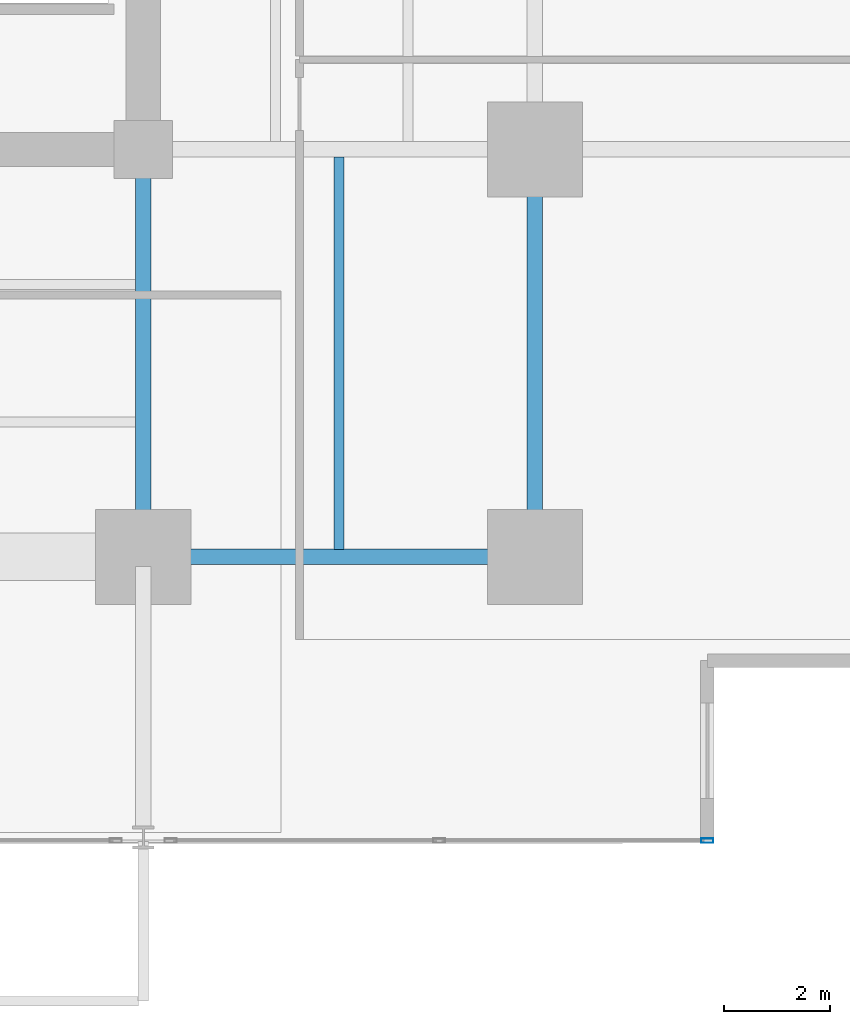
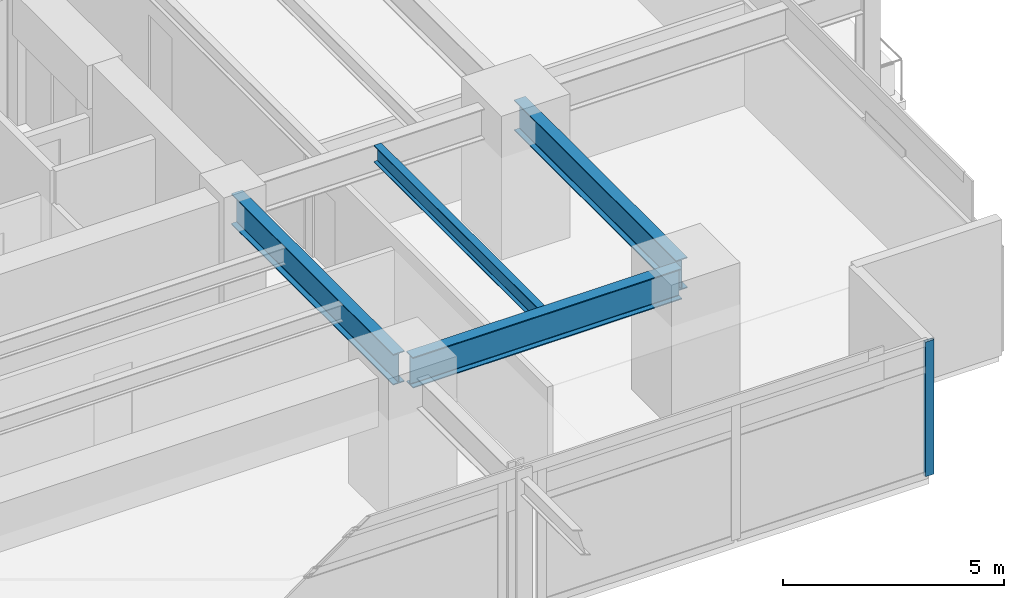
# One storey, part 10 of 21: 4 beams, 1 member, 1 element without a shape of its own.
"""IFC4 building model written with IfcOpenShell, lengths in metres."""

from ifc_helpers import new_model, si_unit, direction, frame, origin, origin_2d, place, context, subcontext, project, spatial, hollow_rectangle, i_section, extrude, material, material_profile, profile_set, type_object, element, aggregate, save


model = new_model("IFC4")

# Units and contexts
model_context = context("Model", 3, precision=1e-05, world=origin(), true_north=direction((0.0, 1.0)))
body_context = subcontext(model_context, "Body", "Model", "MODEL_VIEW")
ifc_project = project(units=[si_unit("LENGTHUNIT", "METRE"), si_unit("AREAUNIT", "SQUARE_METRE"), si_unit("VOLUMEUNIT", "CUBIC_METRE"), si_unit("PLANEANGLEUNIT", "RADIAN"), si_unit("MASSUNIT", "GRAM", prefix="KILO")], contexts=[model_context])

# Site, building, storey
site_placement = place(None, origin())
site = spatial("IfcSite", under=ifc_project, at=site_placement, CompositionType="ELEMENT")
building_placement = place(site_placement, origin())
building = spatial("IfcBuilding", under=site, at=building_placement, Name="Kovane Verandah Tower", CompositionType="ELEMENT")
storey_placement = place(building_placement, frame((0.0, 0.0, 47.60009765625)))
storey = spatial("IfcBuildingStorey", under=building, at=storey_placement, Name="L10", CompositionType="ELEMENT", Elevation=47.60009765625)

# Beams
ifc_material_1 = material(Name="Steel S355", Category="steel")
ifc_material_profile_1 = material_profile(ifc_material_1, i_section(OverallWidth=0.293701171875, OverallDepth=0.850830078125, WebThickness=0.01611328125, FlangeThickness=0.02685546875, FilletRadius=0.017822265625, at=origin_2d()), Name="UB838x292x226")
ifc_profile_set_1 = profile_set([ifc_material_profile_1], Name="Steel S355")
beam_type_1 = type_object("IfcBeamType", Name="BM-UB838x226", PredefinedType="BEAM", material=ifc_profile_set_1)
beam_1_placement = place(storey_placement, frame((51.179931640625, 10.800048828125, 3.33447265625), z_axis=(1.0, 0.0, 0.0), x_axis=(0.0, 1.0, 0.0)))
element("IfcBeam", 1, at=beam_1_placement, inside=storey, type_object=beam_type_1, Name="L10 Primary Tower Girder G-RS3", PredefinedType="BEAM", context=body_context, shape_type="SweptSolid", body=[
    extrude(i_section(OverallWidth=0.293701171875, OverallDepth=0.850830078125, WebThickness=0.01611328125, FlangeThickness=0.02685546875, FilletRadius=0.017822265625, at=origin_2d()), origin(), (0.0, 0.0, 1.0), 7.0400390625),
])
for number, where, z_axis, x_axis, name in (
    (2, (58.39990234375, 10.97998046875, 3.33447265625), (0.0, 1.0, 0.0), (-1.0, 0.0, 0.0), "L10 Primary Tower Girder G-RE1"),
    (3, (51.0, 18.320068359375, 3.33447265625), (0.0, -1.0, 0.0), (1.0, 0.0, 0.0), "L10 Primary Tower Girder G-S2"),
):
    element("IfcBeam", number, at=place(storey_placement, frame(where, z_axis=z_axis, x_axis=x_axis)), inside=storey, type_object=beam_type_1, Name=name, PredefinedType="BEAM", context=body_context, shape_type="SweptSolid", body=[
        extrude(i_section(OverallWidth=0.293701171875, OverallDepth=0.850830078125, WebThickness=0.01611328125, FlangeThickness=0.02685546875, FilletRadius=0.017822265625, at=origin_2d()), origin(), (0.0, 0.0, 1.0), 7.340087890625),
    ])

# Curtain wall, member
ifc_material_2 = material(Name="Champagne Anodised Aluminium Frame with Low-E Clear Laminated Glass", Category="aluminium")
curtain_wall_type = type_object("IfcCurtainWallType", Name="CW-SYS-02-LOW", PredefinedType="NOTDEFINED", material=ifc_material_2)
curtain_wall_placement = place(storey_placement, origin())
curtain_wall = element("IfcCurtainWall", 4, at=curtain_wall_placement, inside=storey, type_object=curtain_wall_type, Name="L10 S Unitised Curtain Wall-3", PredefinedType="NOTDEFINED")
ifc_material_3 = material(Name="Champagne Anodised Aluminium 6063-T6", Category="aluminium")
ifc_material_profile_2 = material_profile(ifc_material_3, hollow_rectangle(XDim=0.0849609375, YDim=0.22998046875, WallThickness=0.00390625, at=origin_2d()), Name="AL85x230x4")
ifc_profile_set_2 = profile_set([ifc_material_profile_2], Name="Champagne Anodised Aluminium 6063-T6")
member_type = type_object("IfcMemberType", Name="CW-MUL-85x230", PredefinedType="MULLION", material=ifc_profile_set_2)
member_placement = place(storey_placement, frame((61.658935546875, 5.438720703125, 0.02001953125), z_axis=(0.0, 0.0, 1.0), x_axis=(0.0, -1.0, 0.0)))
member = element("IfcMember", 5, at=member_placement, type_object=member_type, Name="L10 S Unitised Curtain Wall-3 Mullion 3", PredefinedType="MULLION", context=body_context, shape_type="SweptSolid", body=[
    extrude(hollow_rectangle(XDim=0.0849609375, YDim=0.22998046875, WallThickness=0.00390625, at=origin_2d()), origin(), (0.0, 0.0, 1.0), 3.719970703125),
])
aggregate(curtain_wall, [member])

# Beam
ifc_material_profile_3 = material_profile(ifc_material_1, i_section(OverallWidth=0.19287109375, OverallDepth=0.46728515625, WebThickness=0.011474609375, FlangeThickness=0.01953125, FilletRadius=0.01025390625, at=origin_2d()), Name="UB457x191x98")
ifc_profile_set_3 = profile_set([ifc_material_profile_3], Name="Steel S355")
beam_type_2 = type_object("IfcBeamType", Name="JST-UB457x98", PredefinedType="JOIST", material=ifc_profile_set_3)
beam_2_placement = place(storey_placement, frame((54.699951171875, 10.94482421875, 3.5263671875), z_axis=(0.0, 1.0, 0.0), x_axis=(-1.0, 0.0, 0.0)))
element("IfcBeam", 6, at=beam_2_placement, inside=storey, type_object=beam_type_2, Name="L10 Secondary Composite Joist J-SE1", PredefinedType="JOIST", context=body_context, shape_type="SweptSolid", body=[
    extrude(i_section(OverallWidth=0.19287109375, OverallDepth=0.46728515625, WebThickness=0.011474609375, FlangeThickness=0.01953125, FilletRadius=0.01025390625, at=origin_2d()), origin(), (0.0, 0.0, 1.0), 7.41015625),
])

save(model, "model.ifc")
